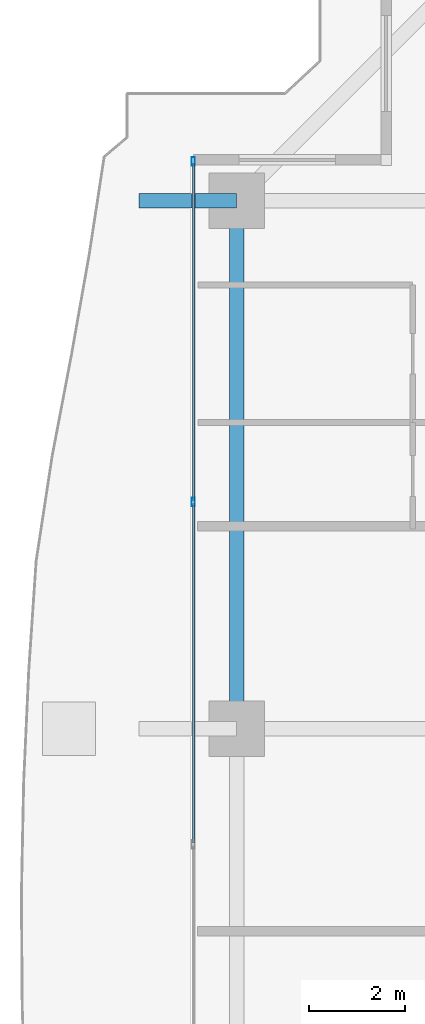
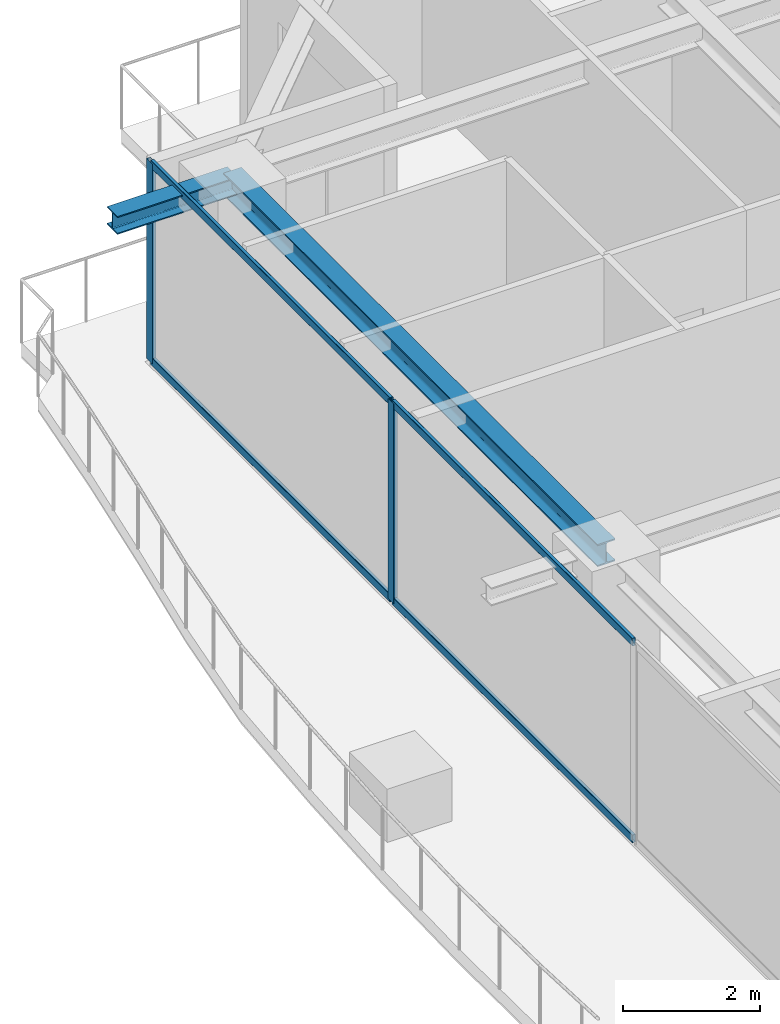
# One storey, part 16 of 38: 6 members, 2 beams, 1 element without a shape of its own.
"""IFC4 building model written with IfcOpenShell, lengths in metres."""

from ifc_helpers import new_model, si_unit, direction, frame, origin, origin_2d, place, context, subcontext, project, spatial, hollow_rectangle, i_section, extrude, source, transform, mapped, material, layer, layer_set, material_profile, profile_set, type_object, element, aggregate, save


model = new_model("IFC4")

# Units and contexts
model_context = context("Model", 3, precision=1e-05, world=origin(), true_north=direction((0.0, 1.0)))
body_context = subcontext(model_context, "Body", "Model", "MODEL_VIEW")
ifc_project = project(units=[si_unit("LENGTHUNIT", "METRE"), si_unit("AREAUNIT", "SQUARE_METRE"), si_unit("VOLUMEUNIT", "CUBIC_METRE"), si_unit("PLANEANGLEUNIT", "RADIAN"), si_unit("MASSUNIT", "GRAM", prefix="KILO")], contexts=[model_context])

# Site, building, storey
site_placement = place(None, origin())
site = spatial("IfcSite", under=ifc_project, at=site_placement, CompositionType="ELEMENT")
building_placement = place(site_placement, origin())
building = spatial("IfcBuilding", under=site, at=building_placement, Name="Serunith Strait Residences", CompositionType="ELEMENT")
storey_placement = place(building_placement, frame((0.0, 0.0, 241.25)))
storey = spatial("IfcBuildingStorey", under=building, at=storey_placement, Name="L60", CompositionType="ELEMENT", Elevation=241.25)

# Beams
ifc_material_1 = material(Name="Steel S355J2", Category="steel")
ifc_material_profile_1 = material_profile(ifc_material_1, i_section(OverallWidth=0.300048828125, OverallDepth=0.39990234375, WebThickness=0.013427734375, FlangeThickness=0.02392578125, FilletRadius=0.027099609375, at=origin_2d()), Name="HEB 400")
ifc_profile_set_1 = profile_set([ifc_material_profile_1], Name="Steel S355J2")
beam_type_1 = type_object("IfcBeamType", Name="BM-HEB400", PredefinedType="BEAM", material=ifc_profile_set_1)
shared_shape_1 = source(origin(), body_context, "Body", "SweptSolid", [
    extrude(i_section(OverallWidth=0.300048828125, OverallDepth=0.39990234375, WebThickness=0.013427734375, FlangeThickness=0.02392578125, FilletRadius=0.027099609375, at=origin_2d()), origin(), (0.0, 0.0, 1.0), 10.9501953125),
])
beam_1_placement = place(storey_placement, frame((8.300048828125, 40.35009765625, 3.386962890625), z_axis=(0.0, -1.0, 0.0), x_axis=(1.0, 0.0, 0.0)))
element("IfcBeam", 1, at=beam_1_placement, inside=storey, type_object=beam_type_1, Name="L60 Perimeter Ring Beam 13", PredefinedType="BEAM", context=body_context, shape_type="MappedRepresentation", body=[
    mapped(shared_shape_1, transform((0.0, 0.0, 0.0), scale=1.0)),
])
ifc_material_profile_2 = material_profile(ifc_material_1, i_section(OverallWidth=0.300048828125, OverallDepth=0.320068359375, WebThickness=0.011474609375, FlangeThickness=0.0205078125, FilletRadius=0.027099609375, at=origin_2d()), Name="HEB 320")
ifc_profile_set_2 = profile_set([ifc_material_profile_2], Name="Steel S355J2")
beam_type_2 = type_object("IfcBeamType", Name="BM-HEB320", PredefinedType="BEAM", material=ifc_profile_set_2)
shared_shape_2 = source(origin(), body_context, "Body", "SweptSolid", [
    extrude(i_section(OverallWidth=0.300048828125, OverallDepth=0.320068359375, WebThickness=0.011474609375, FlangeThickness=0.0205078125, FilletRadius=0.027099609375, at=origin_2d()), origin(), (0.0, 0.0, 1.0), 2.030029296875),
])
beam_2_placement = place(storey_placement, frame((8.300048828125, 40.35009765625, 3.39697265625), z_axis=(-1.0, 0.0, 0.0), x_axis=(0.0, -1.0, 0.0)))
element("IfcBeam", 2, at=beam_2_placement, inside=storey, type_object=beam_type_2, Name="L61 Cantilevered Balcony Rib TC-W4", PredefinedType="BEAM", context=body_context, shape_type="MappedRepresentation", body=[
    mapped(shared_shape_2, transform((0.0, 0.0, 0.0), scale=1.0)),
])

# Curtain wall, members
ifc_material_2 = material(Name="Pale-Champagne Anodised Aluminium", Category="aluminium")
ifc_layer = layer(ifc_material_2, 0.199951171875, Name="Pale-Champagne Anodised Aluminium")
ifc_layer_set = layer_set([ifc_layer], Name="Pale-Champagne Anodised Aluminium")
curtain_wall_type = type_object("IfcCurtainWallType", Name="CW-SYS4", PredefinedType="NOTDEFINED", material=ifc_layer_set)
curtain_wall_placement = place(storey_placement, origin())
curtain_wall = element("IfcCurtainWall", 3, at=curtain_wall_placement, inside=storey, type_object=curtain_wall_type, Name="L60 W Unitised Fritted Curtain Wall", PredefinedType="NOTDEFINED")
ifc_material_profile_3 = material_profile(ifc_material_2, hollow_rectangle(XDim=0.06494140625, YDim=0.179931640625, WallThickness=0.00341796875, InnerFilletRadius=0.00537109375, OuterFilletRadius=0.0087890625, at=origin_2d()), Name="ALU 180x65x3.5")
ifc_profile_set_3 = profile_set([ifc_material_profile_3], Name="Pale-Champagne Anodised Aluminium")
member_type_1 = type_object("IfcMemberType", Name="CW-SYS4-MULL", PredefinedType="MULLION", material=ifc_profile_set_3)
shared_shape_3 = source(origin(), body_context, "Body", "SweptSolid", [
    extrude(hollow_rectangle(XDim=0.06494140625, YDim=0.179931640625, WallThickness=0.00341796875, InnerFilletRadius=0.00537109375, OuterFilletRadius=0.0087890625, at=origin_2d()), origin(), (0.0, 0.0, 1.0), 3.574951171875),
])
member_1_placement = place(storey_placement, frame((7.39990234375, 41.16748046875, 0.0), z_axis=(0.0, 0.0, 1.0), x_axis=(1.0, 0.0, 0.0)))
member_1 = element("IfcMember", 4, at=member_1_placement, type_object=member_type_1, Name="CW-4 mullion 1", PredefinedType="MULLION", context=body_context, shape_type="MappedRepresentation", body=[
    mapped(shared_shape_3, transform((0.0, 0.0, 0.0), scale=1.0)),
])
member_2_placement = place(storey_placement, frame((7.39990234375, 34.10009765625, 0.0), z_axis=(0.0, 0.0, 1.0), x_axis=(1.0, 0.0, 0.0)))
member_2 = element("IfcMember", 5, at=member_2_placement, type_object=member_type_1, Name="CW-4 mullion 2", PredefinedType="MULLION", context=body_context, shape_type="MappedRepresentation", body=[
    mapped(shared_shape_3, transform((0.0, 0.0, 0.0), scale=1.0)),
])
ifc_material_profile_4 = material_profile(ifc_material_2, hollow_rectangle(XDim=0.06005859375, YDim=0.139892578125, WallThickness=0.00341796875, InnerFilletRadius=0.00537109375, OuterFilletRadius=0.0087890625, at=origin_2d()), Name="ALU 140x60x3.5")
ifc_profile_set_4 = profile_set([ifc_material_profile_4], Name="Pale-Champagne Anodised Aluminium")
member_type_2 = type_object("IfcMemberType", Name="CW-SYS4-TRAN", PredefinedType="USERDEFINED", material=ifc_profile_set_4)
shared_shape_4 = source(origin(), body_context, "Body", "SweptSolid", [
    extrude(hollow_rectangle(XDim=0.06005859375, YDim=0.139892578125, WallThickness=0.00341796875, InnerFilletRadius=0.00537109375, OuterFilletRadius=0.0087890625, at=origin_2d()), origin(), (0.0, 0.0, 1.0), 7.00244140625),
])
member_3_placement = place(storey_placement, frame((7.39990234375, 41.135009765625, 0.030029296875), z_axis=(0.0, -1.0, 0.0), x_axis=(1.0, 0.0, 0.0)))
member_3 = element("IfcMember", 6, at=member_3_placement, type_object=member_type_2, Name="CW-4 transom 1.1", ObjectType="TRANSOM", PredefinedType="USERDEFINED", context=body_context, shape_type="MappedRepresentation", body=[
    mapped(shared_shape_4, transform((0.0, 0.0, 0.0), scale=1.0)),
])
member_4_placement = place(storey_placement, frame((7.39990234375, 41.135009765625, 3.544921875), z_axis=(0.0, -1.0, 0.0), x_axis=(1.0, 0.0, 0.0)))
member_4 = element("IfcMember", 7, at=member_4_placement, type_object=member_type_2, Name="CW-4 transom 1.2", ObjectType="TRANSOM", PredefinedType="USERDEFINED", context=body_context, shape_type="MappedRepresentation", body=[
    mapped(shared_shape_4, transform((0.0, 0.0, 0.0), scale=1.0)),
])
shared_shape_5 = source(origin(), body_context, "Body", "SweptSolid", [
    extrude(hollow_rectangle(XDim=0.06005859375, YDim=0.139892578125, WallThickness=0.00341796875, InnerFilletRadius=0.00537109375, OuterFilletRadius=0.0087890625, at=origin_2d()), origin(), (0.0, 0.0, 1.0), 7.034912109375),
])
member_5_placement = place(storey_placement, frame((7.39990234375, 34.0673828125, 0.030029296875), z_axis=(0.0, -1.0, 0.0), x_axis=(1.0, 0.0, 0.0)))
member_5 = element("IfcMember", 8, at=member_5_placement, type_object=member_type_2, Name="CW-4 transom 2.1", ObjectType="TRANSOM", PredefinedType="USERDEFINED", context=body_context, shape_type="MappedRepresentation", body=[
    mapped(shared_shape_5, transform((0.0, 0.0, 0.0), scale=1.0)),
])
member_6_placement = place(storey_placement, frame((7.39990234375, 34.0673828125, 3.544921875), z_axis=(0.0, -1.0, 0.0), x_axis=(1.0, 0.0, 0.0)))
member_6 = element("IfcMember", 9, at=member_6_placement, type_object=member_type_2, Name="CW-4 transom 2.2", ObjectType="TRANSOM", PredefinedType="USERDEFINED", context=body_context, shape_type="MappedRepresentation", body=[
    mapped(shared_shape_5, transform((0.0, 0.0, 0.0), scale=1.0)),
])
aggregate(curtain_wall, [member_1, member_2, member_3, member_4, member_5, member_6])

save(model, "model.ifc")
